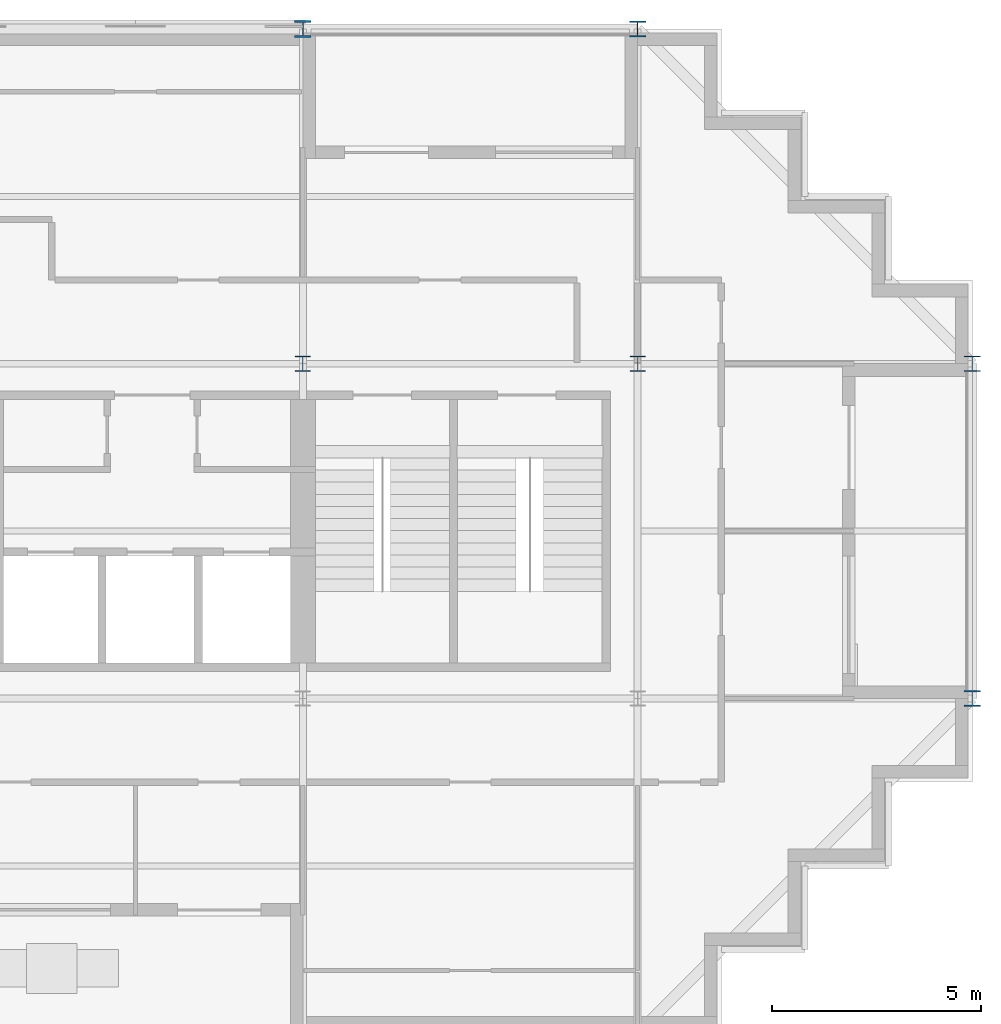
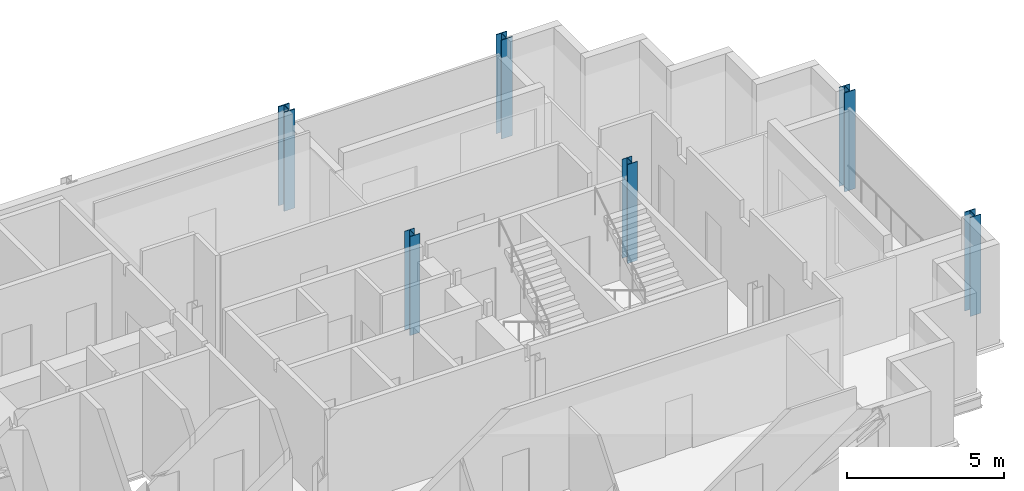
# One storey, part 2 of 10: 6 columns.
"""IFC4 building model written with IfcOpenShell, lengths in metres."""

from ifc_helpers import new_model, si_unit, direction, frame, origin, origin_2d, place, context, subcontext, project, spatial, i_section, extrude, material, material_profile, profile_set, type_object, element, save


model = new_model("IFC4")

# Units and contexts
model_context = context("Model", 3, precision=1e-05, world=origin(), true_north=direction((0.0, 1.0)))
body_context = subcontext(model_context, "Body", "Model", "MODEL_VIEW")
ifc_project = project(units=[si_unit("LENGTHUNIT", "METRE"), si_unit("AREAUNIT", "SQUARE_METRE"), si_unit("VOLUMEUNIT", "CUBIC_METRE"), si_unit("PLANEANGLEUNIT", "RADIAN"), si_unit("MASSUNIT", "GRAM", prefix="KILO")], contexts=[model_context])

# Site, building, storey
site_placement = place(None, origin())
site = spatial("IfcSite", under=ifc_project, at=site_placement, CompositionType="ELEMENT")
building_placement = place(site_placement, origin())
building = spatial("IfcBuilding", under=site, at=building_placement, Name="Immortelle Media Tower", CompositionType="ELEMENT")
storey_placement = place(building_placement, frame((0.0, 0.0, 255.0)))
storey = spatial("IfcBuildingStorey", under=building, at=storey_placement, Name="L55", CompositionType="ELEMENT", Elevation=255.0)

# Columns
ifc_material = material(Name="Steel ASTM A992 Gr 50", Category="steel")
ifc_material_profile_1 = material_profile(ifc_material, i_section(OverallWidth=0.39404296875, OverallDepth=0.3759765625, WebThickness=0.01708984375, FlangeThickness=0.028076171875, at=origin_2d()), Name="W14x145")
ifc_profile_set_1 = profile_set([ifc_material_profile_1], Name="Steel ASTM A992 Gr 50")
column_type_1 = type_object("IfcColumnType", Name="W14x145 column", PredefinedType="COLUMN", material=ifc_profile_set_1)
for number, where, z_axis, x_axis, name in (
    (1, (40.0, 24.0, 0.0), (0.0, 0.0, 1.0), (1.0, 0.0, 0.0), "Column 6/D"),
    (2, (48.0, 8.0, 0.0), (0.0, 0.0, 1.0), (1.0, 0.0, 0.0), "Column 7/B"),
    (3, (48.0, 16.0, 0.0), (0.0, 0.0, 1.0), (1.0, 0.0, 0.0), "Column 7/C"),
):
    element("IfcColumn", number, at=place(storey_placement, frame(where, z_axis=z_axis, x_axis=x_axis)), inside=storey, type_object=column_type_1, Name=name, PredefinedType="COLUMN", context=body_context, shape_type="SweptSolid", body=[
        extrude(i_section(OverallWidth=0.39404296875, OverallDepth=0.3759765625, WebThickness=0.01708984375, FlangeThickness=0.028076171875, at=origin_2d()), origin(), (0.0, 0.0, 1.0), 3.85009765625),
    ])
ifc_material_profile_2 = material_profile(ifc_material, i_section(OverallWidth=0.40087890625, OverallDepth=0.39892578125, WebThickness=0.02490234375, FlangeThickness=0.0400390625, at=origin_2d()), Name="W14x211")
ifc_profile_set_2 = profile_set([ifc_material_profile_2], Name="Steel ASTM A992 Gr 50")
column_type_2 = type_object("IfcColumnType", Name="W14x211 column", PredefinedType="COLUMN", material=ifc_profile_set_2)
column_placement = place(storey_placement, frame((32.0, 24.0, 0.0), z_axis=(0.0, 0.0, 1.0), x_axis=(1.0, 0.0, 0.0)))
element("IfcColumn", 4, at=column_placement, inside=storey, type_object=column_type_2, Name="Column 5/D", PredefinedType="COLUMN", context=body_context, shape_type="SweptSolid", body=[
    extrude(i_section(OverallWidth=0.40087890625, OverallDepth=0.39892578125, WebThickness=0.02490234375, FlangeThickness=0.0400390625, at=origin_2d()), origin(), (0.0, 0.0, 1.0), 3.85009765625),
])
ifc_material_profile_3 = material_profile(ifc_material, i_section(OverallWidth=0.37109375, OverallDepth=0.361083984375, WebThickness=0.011962890625, FlangeThickness=0.02001953125, at=origin_2d()), Name="W14x99")
ifc_profile_set_3 = profile_set([ifc_material_profile_3], Name="Steel ASTM A992 Gr 50")
column_type_3 = type_object("IfcColumnType", Name="W14x99 column", PredefinedType="COLUMN", material=ifc_profile_set_3)
for number, where, z_axis, x_axis, name in (
    (5, (32.0, 16.0, 0.0), (0.0, 0.0, 1.0), (1.0, 0.0, 0.0), "Column 5/C"),
    (6, (40.0, 16.0, 0.0), (0.0, 0.0, 1.0), (1.0, 0.0, 0.0), "Column 6/C"),
):
    element("IfcColumn", number, at=place(storey_placement, frame(where, z_axis=z_axis, x_axis=x_axis)), inside=storey, type_object=column_type_3, Name=name, PredefinedType="COLUMN", context=body_context, shape_type="SweptSolid", body=[
        extrude(i_section(OverallWidth=0.37109375, OverallDepth=0.361083984375, WebThickness=0.011962890625, FlangeThickness=0.02001953125, at=origin_2d()), origin(), (0.0, 0.0, 1.0), 3.85009765625),
    ])

save(model, "model.ifc")
